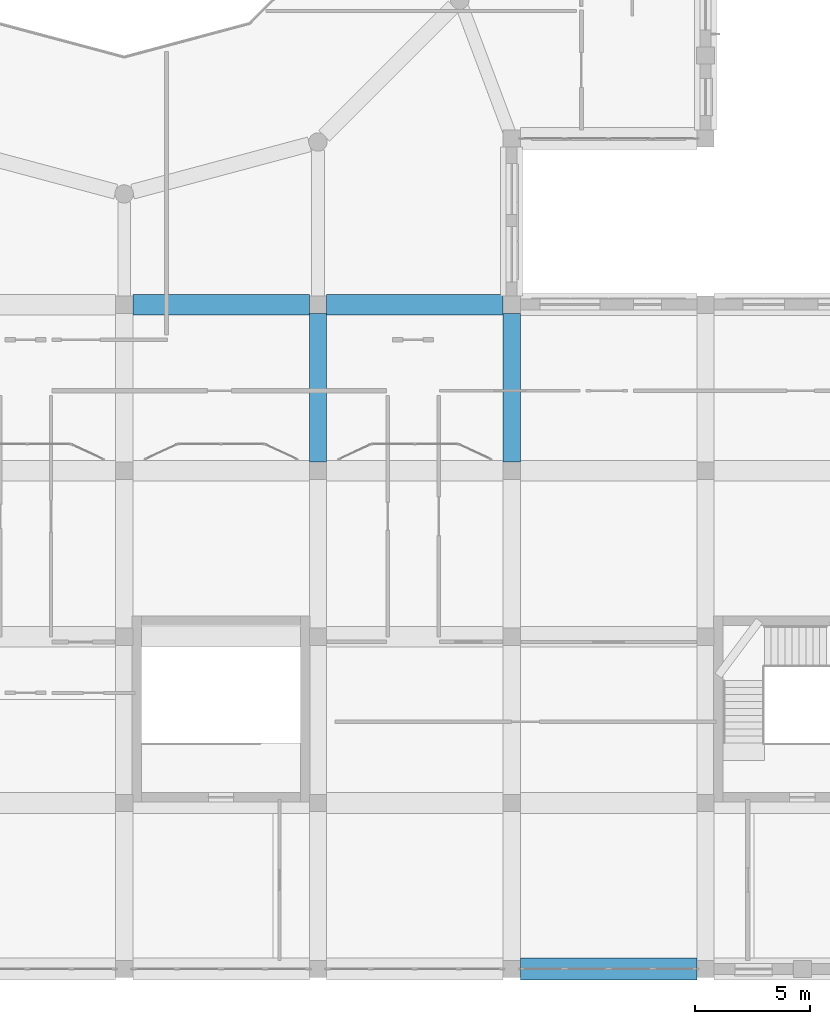
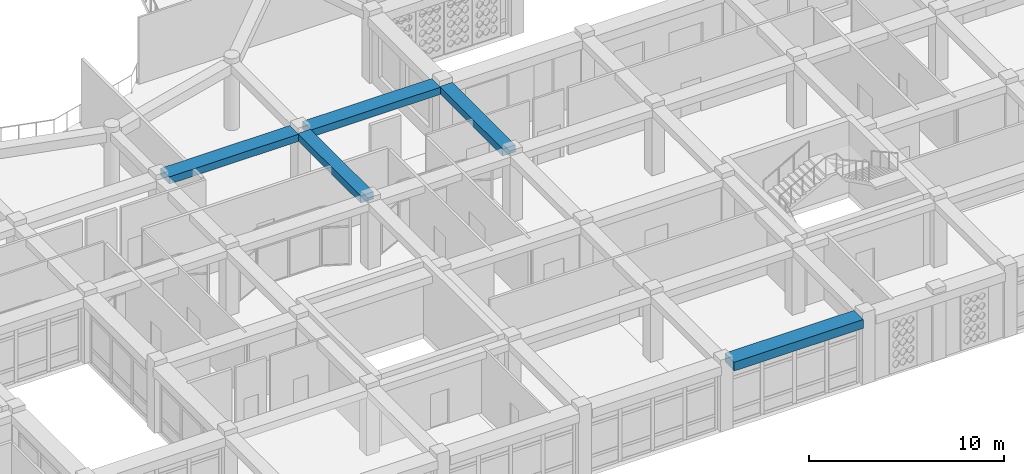
# One storey, part 26 of 121: 5 beams.
"""IFC4 building model written with IfcOpenShell, lengths in metres."""

from ifc_helpers import new_model, si_unit, derived_unit, direction, frame, origin, origin_2d, place, context, subcontext, project, spatial, rectangle, extrude, material, material_profile, profile_set, type_object, element, save


model = new_model("IFC4")

# Units and contexts
model_context = context("Model", 3, precision=1e-05, world=origin(), true_north=direction((0.0, 1.0)))
body_context = subcontext(model_context, "Body", "Model", "MODEL_VIEW")
ifc_project = project(units=[si_unit("LENGTHUNIT", "METRE"), si_unit("AREAUNIT", "SQUARE_METRE"), si_unit("VOLUMEUNIT", "CUBIC_METRE"), si_unit("PLANEANGLEUNIT", "RADIAN"), si_unit("MASSUNIT", "GRAM", prefix="KILO"), derived_unit("THERMALTRANSMITTANCEUNIT", [(si_unit("POWERUNIT", "WATT"), 1), (si_unit("LENGTHUNIT", "METRE"), -2), (si_unit("THERMODYNAMICTEMPERATUREUNIT", "KELVIN"), -1)])], contexts=[model_context])

# Site, building, storey
site_placement = place(None, origin())
site = spatial("IfcSite", under=ifc_project, at=site_placement, CompositionType="ELEMENT")
building_placement = place(site_placement, origin())
building = spatial("IfcBuilding", under=site, at=building_placement, Name="Veybourne Emporium", CompositionType="ELEMENT")
storey_placement = place(building_placement, frame((0.0, 0.0, 5.39990234375)))
storey = spatial("IfcBuildingStorey", under=building, at=storey_placement, Name="L01", CompositionType="ELEMENT", Elevation=5.39990234375)

# Beams
ifc_material = material(Name="Concrete C32/40", Category="concrete")
ifc_material_profile_1 = material_profile(ifc_material, rectangle(XDim=0.89990234375, YDim=0.449951171875, at=origin_2d()), Name="RC 900x450")
ifc_profile_set_1 = profile_set([ifc_material_profile_1], Name="Concrete C32/40")
beam_type_1 = type_object("IfcBeamType", Name="RCBeam_BB-03", PredefinedType="BEAM", material=ifc_profile_set_1)
for number, where, z_axis, x_axis, name in (
    (1, (75.97509765625, 28.800048828125, 3.955078125), (1.0, 0.0, 0.0), (0.0, 1.0, 0.0), "L01 X-grid beam BB-03 (9,4)"),
    (2, (84.375, 28.800048828125, 3.955078125), (1.0, 0.0, 0.0), (0.0, 1.0, 0.0), "L01 X-grid beam BB-03 (10,4)"),
):
    element("IfcBeam", number, at=place(storey_placement, frame(where, z_axis=z_axis, x_axis=x_axis)), inside=storey, type_object=beam_type_1, Name=name, PredefinedType="BEAM", context=body_context, shape_type="SweptSolid", body=[
        extrude(rectangle(XDim=0.89990234375, YDim=0.449951171875, at=origin_2d()), origin(), (0.0, 0.0, 1.0), 7.64990234375),
    ])
ifc_material_profile_2 = material_profile(ifc_material, rectangle(XDim=0.75, YDim=0.449951171875, at=origin_2d()), Name="RC 750x450")
ifc_profile_set_2 = profile_set([ifc_material_profile_2], Name="Concrete C32/40")
beam_type_2 = type_object("IfcBeamType", Name="RCBeam_BB-04", PredefinedType="BEAM", material=ifc_profile_set_2)
for number, where, z_axis, x_axis, name in (
    (3, (84.0, 21.97509765625, 3.955078125), (0.0, 1.0, 0.0), (-1.0, 0.0, 0.0), "L01 Y-grid beam BB-04 (10,3)"),
    (4, (92.39990234375, 21.97509765625, 3.955078125), (0.0, 1.0, 0.0), (-1.0, 0.0, 0.0), "L01 Y-grid beam BB-04 (11,3)"),
):
    element("IfcBeam", number, at=place(storey_placement, frame(where, z_axis=z_axis, x_axis=x_axis)), inside=storey, type_object=beam_type_2, Name=name, PredefinedType="BEAM", context=body_context, shape_type="SweptSolid", body=[
        extrude(rectangle(XDim=0.75, YDim=0.449951171875, at=origin_2d()), origin(), (0.0, 0.0, 1.0), 6.449951171875),
    ])
ifc_material_profile_3 = material_profile(ifc_material, rectangle(XDim=0.949951171875, YDim=0.550048828125, at=origin_2d()), Name="RC 950x550")
ifc_profile_set_3 = profile_set([ifc_material_profile_3], Name="Concrete C32/40")
beam_type_3 = type_object("IfcBeamType", Name="RCBeam_EB-01", PredefinedType="SPANDREL", material=ifc_profile_set_3)
beam_placement = place(storey_placement, frame((92.77490234375, 0.0, 3.905029296875), z_axis=(1.0, 0.0, 0.0), x_axis=(0.0, 1.0, 0.0)))
element("IfcBeam", 5, at=beam_placement, inside=storey, type_object=beam_type_3, Name="L01 X-grid beam EB-01 (11,0)", PredefinedType="SPANDREL", context=body_context, shape_type="SweptSolid", body=[
    extrude(rectangle(XDim=0.949951171875, YDim=0.550048828125, at=origin_2d()), origin(), (0.0, 0.0, 1.0), 7.650146484375),
])

save(model, "model.ifc")
